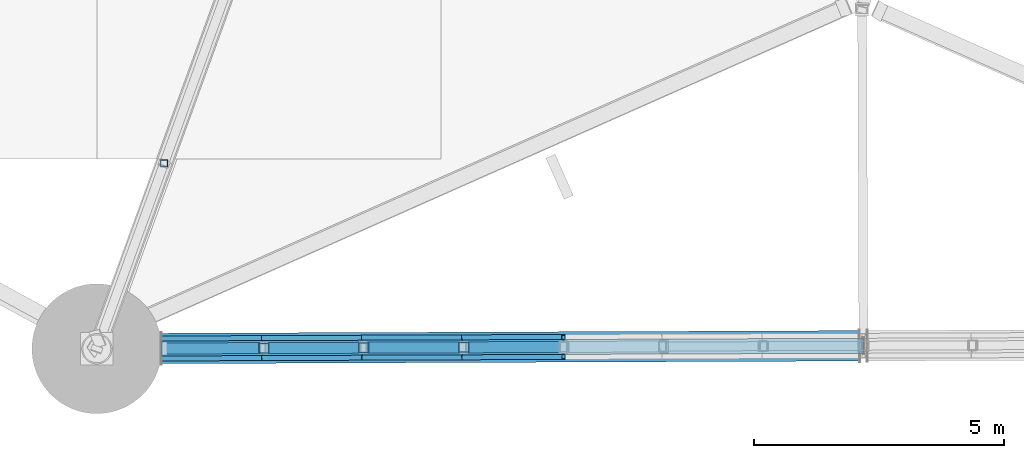
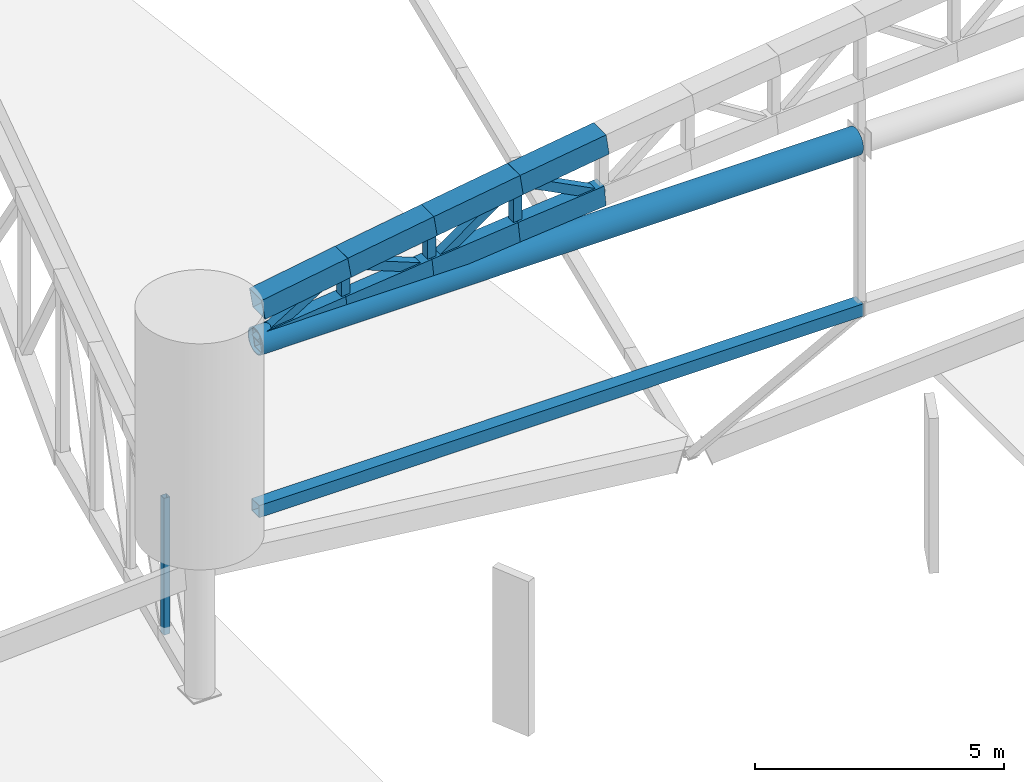
# One storey, part 15 of 188: 18 members.
"""IFC4 building model written with IfcOpenShell, lengths in metres."""

import ifcopenshell
import ifcopenshell.guid

model = None  # the IFC model being written
_history = None  # IfcOwnerHistory: only IFC2X3 demands one
_inside = {}  # id of a spatial element -> (the spatial element, [elements in it])
_under = {}  # id of a project, library or spatial element -> (it, [spatial elements below it])
_declared = {}  # id of a project -> (the project, [libraries it declares])
_typed = {}  # id of a type object -> (the type object, [elements of that type])
_made_of = {}  # id of a material, layer set ... -> (it, [elements and type objects made of it])


def new_model(schema):
    """Start an empty IFC model of exactly this schema.

    Asked for "IFC4X3", IfcOpenShell would pick the latest addendum, in which some entities
    have other attributes; the version numbers below select the first issue.
    IFC2X3 requires an IfcOwnerHistory on every rooted entity: one is made here for all.
    """
    global model, _history
    if schema == "IFC4X3":
        model = ifcopenshell.file(schema_version=(4, 3, 0, 0))
    else:
        model = ifcopenshell.file(schema=schema)
    _inside.clear()
    _under.clear()
    _declared.clear()
    _typed.clear()
    _made_of.clear()
    _history = None
    if model.schema == "IFC2X3":
        org = make("IfcOrganization", Name="unknown")
        user = make(
            "IfcPersonAndOrganization",
            ThePerson=make("IfcPerson", FamilyName="unknown"),
            TheOrganization=org,
        )
        app = make(
            "IfcApplication",
            ApplicationDeveloper=org,
            Version="unknown",
            ApplicationFullName="unknown",
            ApplicationIdentifier="unknown",
        )
        _history = make(
            "IfcOwnerHistory",
            OwningUser=user,
            OwningApplication=app,
            ChangeAction="ADDED",
            CreationDate=0,
        )
    return model


def make(cls, **values):
    """One entity of the class cls with the attributes given. An attribute that is None is left unset."""
    return model.create_entity(
        cls, **{name: value for name, value in values.items() if value is not None}
    )


def rooted(cls, **values):
    """An entity with a GlobalId (a new one), such as an element, a storey or a relation."""
    return make(cls, GlobalId=ifcopenshell.guid.new(), OwnerHistory=_history, **values)


def si_unit(unit_type, name, prefix=None):
    """IfcSIUnit, for example si_unit("LENGTHUNIT", "METRE", prefix="MILLI")."""
    return make("IfcSIUnit", UnitType=unit_type, Prefix=prefix, Name=name)


def assignment(units):
    """IfcUnitAssignment: the units of a project."""
    return None if units is None else make("IfcUnitAssignment", Units=units)


def point(xyz):
    """IfcCartesianPoint."""
    return None if xyz is None else make("IfcCartesianPoint", Coordinates=xyz)


def direction(xyz):
    """IfcDirection."""
    return None if xyz is None else make("IfcDirection", DirectionRatios=xyz)


def frame(location, z_axis=None, x_axis=None):
    """IfcAxis2Placement3D, a coordinate frame: its origin and axes. An axis left out is left unset."""
    return make(
        "IfcAxis2Placement3D",
        Location=point(location),
        Axis=direction(z_axis),
        RefDirection=direction(x_axis),
    )


def frame_2d(location, x_axis=None):
    """IfcAxis2Placement2D, a coordinate frame in the plane: its origin and x axis."""
    return make(
        "IfcAxis2Placement2D", Location=point(location), RefDirection=direction(x_axis)
    )


def origin():
    """The frame at (0, 0, 0) with its axes left unset."""
    return frame((0.0, 0.0, 0.0))


def origin_2d():
    """The frame at (0, 0) in the plane with its x axis left unset."""
    return frame_2d((0.0, 0.0))


def place(relative_to, where):
    """IfcLocalPlacement: puts the frame where relative to a parent placement (None: the world)."""
    return make(
        "IfcLocalPlacement", PlacementRelTo=relative_to, RelativePlacement=where
    )


def context(
    kind, dimensions, precision=None, world=None, true_north=None, identifier=None
):
    """IfcGeometricRepresentationContext, for example the 3D "Model" context."""
    return make(
        "IfcGeometricRepresentationContext",
        ContextIdentifier=identifier,
        ContextType=kind,
        CoordinateSpaceDimension=dimensions,
        Precision=precision,
        WorldCoordinateSystem=world,
        TrueNorth=true_north,
    )


def subcontext(parent, identifier, kind, view, scale=None):
    """IfcGeometricRepresentationSubContext, for example "Body" below "Model"."""
    return make(
        "IfcGeometricRepresentationSubContext",
        ContextIdentifier=identifier,
        ContextType=kind,
        ParentContext=parent,
        TargetScale=scale,
        TargetView=view,
    )


def project(units=None, contexts=None):
    """IfcProject with its units and contexts."""
    return rooted(
        "IfcProject",
        Name="project",
        RepresentationContexts=contexts,
        UnitsInContext=assignment(units),
    )


def spatial(cls, under=None, at=None, **own):
    """A site, building, storey or space (cls), placed at a placement, below another one or the project."""
    s = rooted(cls, ObjectPlacement=at, **own)
    if under is not None:
        _under.setdefault(under.id(), (under, []))[1].append(s)
    return s


def profile(cls, at=None, kind="AREA", **sizes):
    """A parametric profile (cls). Its sizes go by their IFC names, for example OverallWidth=200.0."""
    return make(cls, ProfileType=kind, Position=at, **sizes)


def hollow_rectangle(**sizes):
    """IfcRectangleHollowProfileDef."""
    return profile("IfcRectangleHollowProfileDef", **sizes)


def hollow_circle(**sizes):
    """IfcCircleHollowProfileDef."""
    return profile("IfcCircleHollowProfileDef", **sizes)


def extrude(swept, where, along, depth):
    """IfcExtrudedAreaSolid: the profile swept, set in the frame where, extruded along a direction by depth."""
    return make(
        "IfcExtrudedAreaSolid",
        SweptArea=swept,
        Position=where,
        ExtrudedDirection=direction(along),
        Depth=depth,
    )


def shape(context_of_items, identifier, shape_type, items):
    """IfcShapeRepresentation: the items that make up one representation, for example the "Body"."""
    return make(
        "IfcShapeRepresentation",
        ContextOfItems=context_of_items,
        RepresentationIdentifier=identifier,
        RepresentationType=shape_type,
        Items=items,
    )


def material(Name=None, Category=None):
    """IfcMaterial."""
    return make("IfcMaterial", Name=Name, Category=Category)


def material_profile(
    of_material, cross_section, Name=None, Category=None, Priority=None
):
    """IfcMaterialProfile: a cross section and its material."""
    return make(
        "IfcMaterialProfile",
        Name=Name,
        Material=of_material,
        Profile=cross_section,
        Priority=Priority,
        Category=Category,
    )


def profile_set(profiles, Name=None, composite=None):
    """IfcMaterialProfileSet."""
    return make(
        "IfcMaterialProfileSet",
        Name=Name,
        MaterialProfiles=profiles,
        CompositeProfile=composite,
    )


def made_of(thing, what):
    """Note that an element or type object is made of a material, layer set ...; save() writes the relation."""
    if what is not None:
        _made_of.setdefault(what.id(), (what, []))[1].append(thing)
    return thing


def type_object(cls, material=None, **own):
    """A type object (cls), such as IfcWallType, which elements share."""
    return made_of(rooted(cls, **own), material)


def element(
    cls,
    number,
    at=None,
    inside=None,
    cuts=None,
    type_object=None,
    material=None,
    context=None,
    identifier="Body",
    shape_type=None,
    held_by="IfcProductDefinitionShape",
    body=None,
    shapes=None,
    **own,
):
    """One element of the class cls, such as IfcWall. Its Tag is "e" and its number.

    at: its placement. inside: the storey or other place that contains it. cuts: it is an
    opening in that element (IfcRelVoidsElement). A single representation is given by context,
    identifier, shape_type and body (its items); several are given by shapes. held_by: the class
    of the entity that holds the representations. save() writes the other relations.
    """
    e = rooted(cls, Tag="e%d" % number, ObjectPlacement=at, **own)
    if body is not None:
        shapes = [shape(context, identifier, shape_type, body)]
    if shapes is not None:
        e.Representation = make(held_by, Representations=shapes)
    if inside is not None:
        _inside.setdefault(inside.id(), (inside, []))[1].append(e)
    if cuts is not None:
        rooted(
            "IfcRelVoidsElement", RelatingBuildingElement=cuts, RelatedOpeningElement=e
        )
    if type_object is not None:
        _typed.setdefault(type_object.id(), (type_object, []))[1].append(e)
    return made_of(e, material)


def aggregate(whole, parts):
    """IfcRelAggregates: a whole, such as a stair, and the parts it consists of."""
    return rooted("IfcRelAggregates", RelatingObject=whole, RelatedObjects=parts)


def save(model, path):
    """Write the relations noted so far, then the file.

    IfcRelAggregates (storeys below a building ...), IfcRelContainedInSpatialStructure (elements
    in a storey), IfcRelDefinesByType, IfcRelAssociatesMaterial and IfcRelDeclares: one each for
    every whole, place, type object, material and project.
    """
    for whole, parts in _under.values():
        aggregate(whole, parts)
    for where, things in _inside.values():
        rooted(
            "IfcRelContainedInSpatialStructure",
            RelatedElements=things,
            RelatingStructure=where,
        )
    for kind, things in _typed.values():
        rooted("IfcRelDefinesByType", RelatedObjects=things, RelatingType=kind)
    for what, things in _made_of.values():
        rooted("IfcRelAssociatesMaterial", RelatedObjects=things, RelatingMaterial=what)
    for by, libraries in _declared.values():
        rooted("IfcRelDeclares", RelatingContext=by, RelatedDefinitions=libraries)
    model.write(path)


model = new_model("IFC4")

# Units and contexts
model_context = context("Model", 3, precision=1e-05, world=origin(), true_north=direction((0.0, 1.0)))
body_context = subcontext(model_context, "Body", "Model", "MODEL_VIEW")
ifc_project = project(units=[si_unit("LENGTHUNIT", "METRE"), si_unit("AREAUNIT", "SQUARE_METRE"), si_unit("VOLUMEUNIT", "CUBIC_METRE"), si_unit("PLANEANGLEUNIT", "RADIAN"), si_unit("MASSUNIT", "GRAM", prefix="KILO")], contexts=[model_context])

# Site, building, storey
site_placement = place(None, origin())
site = spatial("IfcSite", under=ifc_project, at=site_placement, CompositionType="ELEMENT")
building_placement = place(site_placement, origin())
building = spatial("IfcBuilding", under=site, at=building_placement, Name="Meseta Stadium", CompositionType="ELEMENT")
storey_placement = place(building_placement, frame((0.0, 0.0, 30.0)))
storey = spatial("IfcBuildingStorey", under=building, at=storey_placement, Name="ROOF", CompositionType="ELEMENT", Elevation=30.0)

# Members
ifc_material_1 = material(Name="Steel S355", Category="steel")
ifc_material_profile_1 = material_profile(ifc_material_1, hollow_circle(Radius=0.304931640625, WallThickness=0.02490234375, at=origin_2d()), Name="CHS 610x25")
ifc_profile_set_1 = profile_set([ifc_material_profile_1], Name="Steel S355")
member_type_1 = type_object("IfcMemberType", Name="CHS 610x25 arch tie", PredefinedType="STRUT", material=ifc_profile_set_1)
member_1_placement = place(storey_placement, frame((-37.033447265625, -105.39501953125, 15.550048828125), z_axis=(0.999992608544, 0.003844848283, 0.0), x_axis=(-0.003844848283, 0.999992608544, 0.0)))
element("IfcMember", 1, at=member_1_placement, inside=storey, type_object=member_type_1, Name="GABLE ARCH GA-S tie 01", PredefinedType="STRUT", context=body_context, shape_type="SweptSolid", body=[
    extrude(hollow_circle(Radius=0.304931640625, WallThickness=0.02490234375, at=origin_2d()), origin(), (0.0, 0.0, 1.0), 13.969482421875),
])
ifc_material_2 = material(Name="Steel S355", Category="steel")
ifc_material_profile_2 = material_profile(ifc_material_2, hollow_rectangle(XDim=0.300048828125, YDim=0.5, WallThickness=0.01611328125, at=origin_2d()), Name="RHS 500x300x16")
ifc_profile_set_2 = profile_set([ifc_material_profile_2], Name="Steel S355")
member_type_2 = type_object("IfcMemberType", Name="RHS 500x300x16 arch bottom chord", PredefinedType="CHORD", material=ifc_profile_set_2)
member_2_placement = place(storey_placement, frame((-36.993408203125, -105.394775390625, 15.550048828125), z_axis=(0.993884110505, 0.003755534791, 0.110364264343), x_axis=(-0.003778617588, 0.999992860999, 0.0)))
element("IfcMember", 2, at=member_2_placement, inside=storey, type_object=member_type_2, Name="GABLE ARCH GA-S bottom chord", PredefinedType="CHORD", context=body_context, shape_type="SweptSolid", body=[
    extrude(hollow_rectangle(XDim=0.300048828125, YDim=0.5, WallThickness=0.01611328125, at=origin_2d()), origin(), (0.0, 0.0, 1.0), 2.01513671875),
])
member_3_placement = place(storey_placement, frame((-34.990478515625, -105.38720703125, 15.7724609375), z_axis=(0.994541727044, 0.003879719038, 0.104267449135), x_axis=(-0.003900982143, 0.99999239114, 0.0)))
element("IfcMember", 3, at=member_3_placement, inside=storey, type_object=member_type_2, Name="GABLE ARCH GA-S bottom chord", PredefinedType="CHORD", context=body_context, shape_type="SweptSolid", body=[
    extrude(hollow_rectangle(XDim=0.300048828125, YDim=0.5, WallThickness=0.01611328125, at=origin_2d()), origin(), (0.0, 0.0, 1.0), 2.013671875),
])
member_4_placement = place(storey_placement, frame((-32.98779296875, -105.37939453125, 15.982421875), z_axis=(0.995153102429, 0.00376078827, 0.098265758011), x_axis=(-0.00377907822, 0.999992859258, 0.0)))
element("IfcMember", 4, at=member_4_placement, inside=storey, type_object=member_type_2, Name="GABLE ARCH GA-S bottom chord", PredefinedType="CHORD", context=body_context, shape_type="SweptSolid", body=[
    extrude(hollow_rectangle(XDim=0.300048828125, YDim=0.5, WallThickness=0.01611328125, at=origin_2d()), origin(), (0.0, 0.0, 1.0), 2.012451171875),
])
member_5_placement = place(storey_placement, frame((-30.985107421875, -105.371826171875, 16.18017578125), z_axis=(0.995728001319, 0.003884346708, 0.092253234305), x_axis=(-0.003900982143, 0.99999239114, 0.0)))
element("IfcMember", 5, at=member_5_placement, inside=storey, type_object=member_type_2, Name="GABLE ARCH GA-S bottom chord", PredefinedType="CHORD", context=body_context, shape_type="SweptSolid", body=[
    extrude(hollow_rectangle(XDim=0.300048828125, YDim=0.5, WallThickness=0.01611328125, at=origin_2d()), origin(), (0.0, 0.0, 1.0), 2.01123046875),
])
ifc_material_3 = material(Name="Steel S355", Category="steel")
ifc_material_profile_3 = material_profile(ifc_material_3, hollow_rectangle(XDim=0.139892578125, YDim=0.139892578125, WallThickness=0.0048828125, at=origin_2d()), Name="SHS 140x140x5")
ifc_profile_set_3 = profile_set([ifc_material_profile_3], Name="Steel S355")
member_type_3 = type_object("IfcMemberType", Name="SHS 140x140x5 post", PredefinedType="POST", material=ifc_profile_set_3)
member_6_placement = place(storey_placement, frame((-36.986083984375, -101.687744140625, 6.127197265625), z_axis=(0.0, 0.0, 1.0), x_axis=(1.0, 0.0, 0.0)))
element("IfcMember", 6, at=member_6_placement, inside=storey, type_object=member_type_3, Name="ROOF TRUSS RT-44 post", PredefinedType="POST", context=body_context, shape_type="SweptSolid", body=[
    extrude(hollow_rectangle(XDim=0.139892578125, YDim=0.139892578125, WallThickness=0.0048828125, at=origin_2d()), origin(), (0.0, 0.0, 1.0), 3.357177734375),
])
ifc_material_4 = material(Name="Steel S355", Category="steel")
ifc_material_profile_4 = material_profile(ifc_material_4, hollow_rectangle(XDim=0.199951171875, YDim=0.199951171875, WallThickness=0.008056640625, at=origin_2d()), Name="SHS 200x200x8")
ifc_profile_set_4 = profile_set([ifc_material_profile_4], Name="Steel S355")
member_type_4 = type_object("IfcMemberType", Name="SHS 200x200x8 arch vertical", PredefinedType="POST", material=ifc_profile_set_4)
member_7_placement = place(storey_placement, frame((-34.990478515625, -105.38720703125, 15.7724609375), z_axis=(0.0, 0.0, 1.0), x_axis=(1.0, 0.0, 0.0)))
element("IfcMember", 7, at=member_7_placement, inside=storey, type_object=member_type_4, Name="GABLE ARCH GA-S vertical", PredefinedType="POST", context=body_context, shape_type="SweptSolid", body=[
    extrude(hollow_rectangle(XDim=0.199951171875, YDim=0.199951171875, WallThickness=0.008056640625, at=origin_2d()), origin(), (0.0, 0.0, 1.0), 1.00732421875),
])
member_8_placement = place(storey_placement, frame((-32.98779296875, -105.37939453125, 15.982421875), z_axis=(0.0, 0.0, 1.0), x_axis=(1.0, 0.0, 0.0)))
element("IfcMember", 8, at=member_8_placement, inside=storey, type_object=member_type_4, Name="GABLE ARCH GA-S vertical", PredefinedType="POST", context=body_context, shape_type="SweptSolid", body=[
    extrude(hollow_rectangle(XDim=0.199951171875, YDim=0.199951171875, WallThickness=0.008056640625, at=origin_2d()), origin(), (0.0, 0.0, 1.0), 1.1142578125),
])
member_9_placement = place(storey_placement, frame((-30.985107421875, -105.371826171875, 16.18017578125), z_axis=(0.0, 0.0, 1.0), x_axis=(1.0, 0.0, 0.0)))
element("IfcMember", 9, at=member_9_placement, inside=storey, type_object=member_type_4, Name="GABLE ARCH GA-S vertical", PredefinedType="POST", context=body_context, shape_type="SweptSolid", body=[
    extrude(hollow_rectangle(XDim=0.199951171875, YDim=0.199951171875, WallThickness=0.008056640625, at=origin_2d()), origin(), (0.0, 0.0, 1.0), 1.2197265625),
])
ifc_material_5 = material(Name="Steel S355", Category="steel")
ifc_material_profile_5 = material_profile(ifc_material_5, hollow_rectangle(XDim=0.219970703125, YDim=0.219970703125, WallThickness=0.008056640625, at=origin_2d()), Name="SHS 220x220x8")
ifc_profile_set_5 = profile_set([ifc_material_profile_5], Name="Steel S355")
member_type_5 = type_object("IfcMemberType", Name="SHS 220x220x8 arch diagonal", PredefinedType="BRACE", material=ifc_profile_set_5)
member_10_placement = place(storey_placement, frame((-36.993408203125, -105.394775390625, 15.550048828125), z_axis=(0.852191997544, 0.003220130659, 0.523219294445), x_axis=(-0.003778617588, 0.999992860999, 0.0)))
element("IfcMember", 10, at=member_10_placement, inside=storey, type_object=member_type_5, Name="GABLE ARCH GA-S diagonal", PredefinedType="BRACE", context=body_context, shape_type="SweptSolid", body=[
    extrude(hollow_rectangle(XDim=0.219970703125, YDim=0.219970703125, WallThickness=0.008056640625, at=origin_2d()), origin(), (0.0, 0.0, 1.0), 2.350341796875),
])
member_11_placement = place(storey_placement, frame((-34.990478515625, -105.38720703125, 16.77978515625), z_axis=(0.929063039831, 0.003624285904, -0.369903680128), x_axis=(-0.003900982143, 0.99999239114, 0.0)))
element("IfcMember", 11, at=member_11_placement, inside=storey, type_object=member_type_5, Name="GABLE ARCH GA-S diagonal", PredefinedType="BRACE", context=body_context, shape_type="SweptSolid", body=[
    extrude(hollow_rectangle(XDim=0.219970703125, YDim=0.219970703125, WallThickness=0.008056640625, at=origin_2d()), origin(), (0.0, 0.0, 1.0), 2.155517578125),
])
member_12_placement = place(storey_placement, frame((-32.98779296875, -105.37939453125, 15.982421875), z_axis=(0.816229791033, 0.003084618252, 0.577719147475), x_axis=(-0.00377907822, 0.999992859258, 0.0)))
element("IfcMember", 12, at=member_12_placement, inside=storey, type_object=member_type_5, Name="GABLE ARCH GA-S diagonal", PredefinedType="BRACE", context=body_context, shape_type="SweptSolid", body=[
    extrude(hollow_rectangle(XDim=0.219970703125, YDim=0.219970703125, WallThickness=0.008056640625, at=origin_2d()), origin(), (0.0, 0.0, 1.0), 2.45361328125),
])
member_13_placement = place(storey_placement, frame((-30.985107421875, -105.371826171875, 17.39990234375), z_axis=(0.888518464356, 0.003466121036, -0.458827772158), x_axis=(-0.003900982143, 0.99999239114, 0.0)))
element("IfcMember", 13, at=member_13_placement, inside=storey, type_object=member_type_5, Name="GABLE ARCH GA-S diagonal", PredefinedType="BRACE", context=body_context, shape_type="SweptSolid", body=[
    extrude(hollow_rectangle(XDim=0.219970703125, YDim=0.219970703125, WallThickness=0.008056640625, at=origin_2d()), origin(), (0.0, 0.0, 1.0), 2.25390625),
])
ifc_material_6 = material(Name="Steel S355", Category="steel")
ifc_material_profile_6 = material_profile(ifc_material_6, hollow_rectangle(XDim=0.300048828125, YDim=0.300048828125, WallThickness=0.010009765625, at=origin_2d()), Name="SHS 300x300x10")
ifc_profile_set_6 = profile_set([ifc_material_profile_6], Name="Steel S355")
member_type_6 = type_object("IfcMemberType", Name="SHS 300x300x10 arch sill", PredefinedType="STRUT", material=ifc_profile_set_6)
member_14_placement = place(storey_placement, frame((-37.033447265625, -105.39501953125, 11.449951171875), z_axis=(0.999992569429, 0.003855008082, 0.0), x_axis=(-0.003855008082, 0.999992569429, 0.0)))
element("IfcMember", 14, at=member_14_placement, inside=storey, type_object=member_type_6, Name="GABLE ARCH GA-S sill beam 01", PredefinedType="STRUT", context=body_context, shape_type="SweptSolid", body=[
    extrude(hollow_rectangle(XDim=0.300048828125, YDim=0.300048828125, WallThickness=0.010009765625, at=origin_2d()), origin(), (0.0, 0.0, 1.0), 14.059326171875),
])
ifc_material_7 = material(Name="Steel S355", Category="steel")
ifc_material_profile_7 = material_profile(ifc_material_7, hollow_rectangle(XDim=0.5, YDim=0.5, WallThickness=0.01611328125, at=origin_2d()), Name="SHS 500x500x16")
ifc_profile_set_7 = profile_set([ifc_material_profile_7], Name="Steel S355")
member_type_7 = type_object("IfcMemberType", Name="SHS 500x500x16 arch top chord", PredefinedType="CHORD", material=ifc_profile_set_7)
member_15_placement = place(storey_placement, frame((-36.993408203125, -105.394775390625, 16.449951171875), z_axis=(0.986703771852, 0.003728402843, 0.162486201337), x_axis=(-0.003778617588, 0.999992860999, 0.0)))
element("IfcMember", 15, at=member_15_placement, inside=storey, type_object=member_type_7, Name="GABLE ARCH GA-S top chord", PredefinedType="CHORD", context=body_context, shape_type="SweptSolid", body=[
    extrude(hollow_rectangle(XDim=0.5, YDim=0.5, WallThickness=0.01611328125, at=origin_2d()), origin(), (0.0, 0.0, 1.0), 2.030029296875),
])
member_16_placement = place(storey_placement, frame((-34.990478515625, -105.38720703125, 16.77978515625), z_axis=(0.98770383606, 0.003853044344, 0.156289111204), x_axis=(-0.003900982143, 0.99999239114, 0.0)))
element("IfcMember", 16, at=member_16_placement, inside=storey, type_object=member_type_7, Name="GABLE ARCH GA-S top chord", PredefinedType="CHORD", context=body_context, shape_type="SweptSolid", body=[
    extrude(hollow_rectangle(XDim=0.5, YDim=0.5, WallThickness=0.01611328125, at=origin_2d()), origin(), (0.0, 0.0, 1.0), 2.027587890625),
])
member_17_placement = place(storey_placement, frame((-32.98779296875, -105.37939453125, 17.0966796875), z_axis=(0.988724285502, 0.003736493094, 0.149700787833), x_axis=(-0.00377907822, 0.999992859258, 0.0)))
element("IfcMember", 17, at=member_17_placement, inside=storey, type_object=member_type_7, Name="GABLE ARCH GA-S top chord", PredefinedType="CHORD", context=body_context, shape_type="SweptSolid", body=[
    extrude(hollow_rectangle(XDim=0.5, YDim=0.5, WallThickness=0.01611328125, at=origin_2d()), origin(), (0.0, 0.0, 1.0), 2.025634765625),
])
member_18_placement = place(storey_placement, frame((-30.985107421875, -105.371826171875, 17.39990234375), z_axis=(0.989701813747, 0.003860838479, 0.143092326113), x_axis=(-0.003900982143, 0.99999239114, 0.0)))
element("IfcMember", 18, at=member_18_placement, inside=storey, type_object=member_type_7, Name="GABLE ARCH GA-S top chord", PredefinedType="CHORD", context=body_context, shape_type="SweptSolid", body=[
    extrude(hollow_rectangle(XDim=0.5, YDim=0.5, WallThickness=0.01611328125, at=origin_2d()), origin(), (0.0, 0.0, 1.0), 2.0234375),
])

save(model, "model.ifc")
